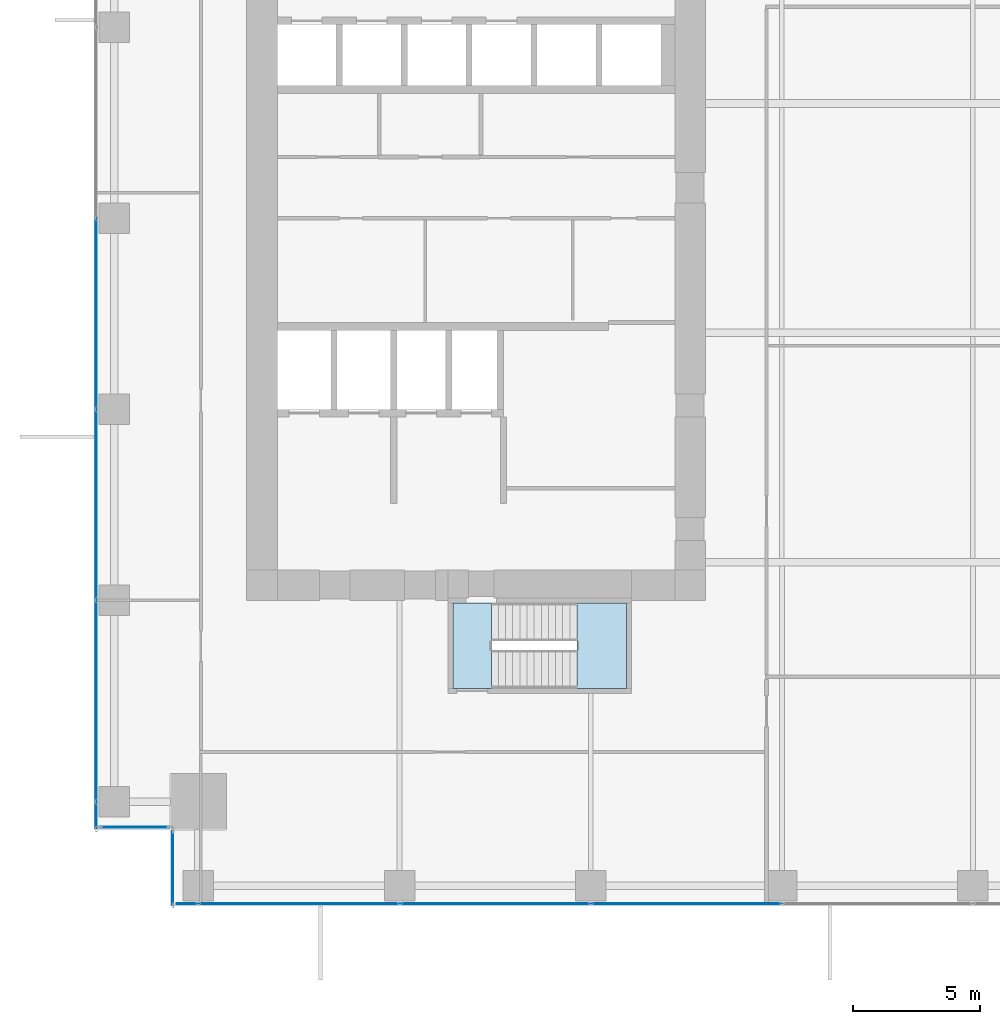
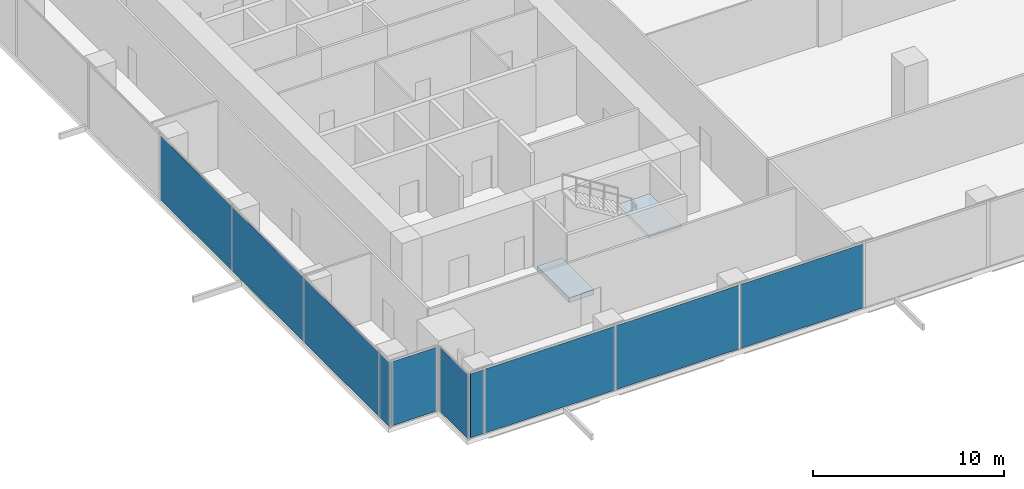
# One storey, part 22 of 33: 10 plates, 2 slabs, 5 elements without a shape of their own.
"""IFC4 building model written with IfcOpenShell, lengths in metres."""

from ifc_helpers import new_model, si_unit, direction, frame, origin, origin_2d, place, context, subcontext, project, spatial, polyline, rectangle, outline, extrude, source, transform, mapped, material, layer, layer_set, type_object, element, aggregate, save


model = new_model("IFC4")

# Units and contexts
model_context = context("Model", 3, precision=1e-05, world=origin(), true_north=direction((0.0, 1.0)))
body_context = subcontext(model_context, "Body", "Model", "MODEL_VIEW")
ifc_project = project(units=[si_unit("LENGTHUNIT", "METRE"), si_unit("AREAUNIT", "SQUARE_METRE"), si_unit("VOLUMEUNIT", "CUBIC_METRE"), si_unit("PLANEANGLEUNIT", "RADIAN"), si_unit("MASSUNIT", "GRAM", prefix="KILO")], contexts=[model_context])

# Site, building, storey
site_placement = place(None, origin())
site = spatial("IfcSite", under=ifc_project, at=site_placement, CompositionType="ELEMENT")
building_placement = place(site_placement, origin())
building = spatial("IfcBuilding", under=site, at=building_placement, Name="Khomas Fold Tower", CompositionType="ELEMENT")
storey_placement = place(building_placement, frame((0.0, 0.0, 78.0)))
storey = spatial("IfcBuildingStorey", under=building, at=storey_placement, Name="L16", CompositionType="ELEMENT", Elevation=78.0)

# Curtain wall, plates
ifc_material_1 = material(Name="Aluminium framed double glazing", Category="aluminium")
curtain_wall_type = type_object("IfcCurtainWallType", Name="SK-Unitised clear-glass wall, growing floors CW1", PredefinedType="NOTDEFINED", material=ifc_material_1)
curtain_wall_1_placement = place(storey_placement, origin())
curtain_wall_1 = element("IfcCurtainWall", 1, at=curtain_wall_1_placement, inside=storey, type_object=curtain_wall_type, Name="CW1 run L16 00-0", PredefinedType="NOTDEFINED")
ifc_material_2 = material(Name="Clear double glazed unit")
ifc_layer_1 = layer(ifc_material_2, 0.031982421875)
ifc_layer_set_1 = layer_set([ifc_layer_1], Name="Clear double glazed unit")
plate_type = type_object("IfcPlateType", Name="SK-Unitised clear-glass wall, growing floors glass panel CW1-P", PredefinedType="CURTAIN_PANEL", material=ifc_layer_set_1)
shared_shape_1 = source(origin(), body_context, "Body", "SweptSolid", [
    extrude(rectangle(XDim=0.81005859375, YDim=0.031982421875, at=origin_2d()), origin(), (0.0, 0.0, 1.0), 4.080078125),
])
plate_1_placement = place(storey_placement, frame((3.6650390625, 0.10009765625, 0.0), z_axis=(0.0, 0.0, 1.0), x_axis=(1.0, 0.0, 0.0)))
plate_1 = element("IfcPlate", 2, at=plate_1_placement, type_object=plate_type, Name="CW1 glass panel 1", PredefinedType="CURTAIN_PANEL", context=body_context, shape_type="MappedRepresentation", body=[
    mapped(shared_shape_1, transform((0.0, 0.0, 0.0))),
])
shared_shape_2 = source(origin(), body_context, "Body", "SweptSolid", [
    extrude(rectangle(XDim=7.840087890625, YDim=0.031982421875, at=origin_2d()), origin(), (0.0, 0.0, 1.0), 4.080078125),
])
plate_2_placement = place(storey_placement, frame((8.050048828125, 0.10009765625, 0.0), z_axis=(0.0, 0.0, 1.0), x_axis=(1.0, 0.0, 0.0)))
plate_2 = element("IfcPlate", 3, at=plate_2_placement, type_object=plate_type, Name="CW1 glass panel 2", PredefinedType="CURTAIN_PANEL", context=body_context, shape_type="MappedRepresentation", body=[
    mapped(shared_shape_2, transform((0.0, 0.0, 0.0))),
])

# Curtain wall, plate
curtain_wall_2_placement = place(storey_placement, origin())
curtain_wall_2 = element("IfcCurtainWall", 4, at=curtain_wall_2_placement, inside=storey, type_object=curtain_wall_type, Name="CW1 run L16 09-0", PredefinedType="NOTDEFINED")
plate_3_placement = place(storey_placement, frame((0.10009765625, 8.050048828125, 0.0), z_axis=(0.0, 0.0, 1.0), x_axis=(0.0, -1.0, 0.0)))
plate_3 = element("IfcPlate", 5, at=plate_3_placement, type_object=plate_type, Name="CW1 glass panel 7", PredefinedType="CURTAIN_PANEL", context=body_context, shape_type="MappedRepresentation", body=[
    mapped(shared_shape_2, transform((0.0, 0.0, 0.0))),
])

# Plate
shared_shape_3 = source(origin(), body_context, "Body", "SweptSolid", [
    extrude(rectangle(XDim=7.43994140625, YDim=0.031982421875, at=origin_2d()), origin(), (0.0, 0.0, 1.0), 4.080078125),
])
plate_4_placement = place(storey_placement, frame((15.75, 0.10009765625, 0.0), z_axis=(0.0, 0.0, 1.0), x_axis=(1.0, 0.0, 0.0)))
plate_4 = element("IfcPlate", 6, at=plate_4_placement, type_object=plate_type, Name="CW1 glass panel 3", PredefinedType="CURTAIN_PANEL", context=body_context, shape_type="MappedRepresentation", body=[
    mapped(shared_shape_3, transform((0.0, 0.0, 0.0))),
])

plate_5_placement = place(storey_placement, frame((23.25, 0.10009765625, 0.0), z_axis=(0.0, 0.0, 1.0), x_axis=(1.0, 0.0, 0.0)))
plate_5 = element("IfcPlate", 7, at=plate_5_placement, type_object=plate_type, Name="CW1 glass panel 4", PredefinedType="CURTAIN_PANEL", context=body_context, shape_type="MappedRepresentation", body=[
    mapped(shared_shape_3, transform((0.0, 0.0, 0.0))),
])

aggregate(curtain_wall_1, [plate_1, plate_2, plate_4, plate_5])

plate_6_placement = place(storey_placement, frame((0.10009765625, 23.25, 0.0), z_axis=(0.0, 0.0, 1.0), x_axis=(0.0, -1.0, 0.0)))
plate_6 = element("IfcPlate", 8, at=plate_6_placement, type_object=plate_type, Name="CW1 glass panel 5", PredefinedType="CURTAIN_PANEL", context=body_context, shape_type="MappedRepresentation", body=[
    mapped(shared_shape_3, transform((0.0, 0.0, 0.0))),
])

plate_7_placement = place(storey_placement, frame((0.10009765625, 15.75, 0.0), z_axis=(0.0, 0.0, 1.0), x_axis=(0.0, -1.0, 0.0)))
plate_7 = element("IfcPlate", 9, at=plate_7_placement, type_object=plate_type, Name="CW1 glass panel 6", PredefinedType="CURTAIN_PANEL", context=body_context, shape_type="MappedRepresentation", body=[
    mapped(shared_shape_3, transform((0.0, 0.0, 0.0))),
])

shared_shape_4 = source(origin(), body_context, "Body", "SweptSolid", [
    extrude(rectangle(XDim=1.010009765625, YDim=0.031982421875, at=origin_2d()), origin(), (0.0, 0.0, 1.0), 4.080078125),
])
plate_8_placement = place(storey_placement, frame((0.10009765625, 3.56494140625, 0.0), z_axis=(0.0, 0.0, 1.0), x_axis=(0.0, -1.0, 0.0)))
plate_8 = element("IfcPlate", 10, at=plate_8_placement, type_object=plate_type, Name="CW1 glass panel 8", PredefinedType="CURTAIN_PANEL", context=body_context, shape_type="MappedRepresentation", body=[
    mapped(shared_shape_4, transform((0.0, 0.0, 0.0))),
])

aggregate(curtain_wall_2, [plate_6, plate_7, plate_3, plate_8])

# Curtain wall, plate
curtain_wall_3_placement = place(storey_placement, origin())
curtain_wall_3 = element("IfcCurtainWall", 11, at=curtain_wall_3_placement, inside=storey, type_object=curtain_wall_type, Name="CW1 corner return L16 10", PredefinedType="NOTDEFINED")
shared_shape_5 = source(origin(), body_context, "Body", "SweptSolid", [
    extrude(rectangle(XDim=2.679931640625, YDim=0.031982421875, at=origin_2d()), origin(), (0.0, 0.0, 1.0), 4.080078125),
])
plate_9_placement = place(storey_placement, frame((1.60009765625, 3.10009765625, 0.0), z_axis=(0.0, 0.0, 1.0), x_axis=(1.0, 0.0, 0.0)))
plate_9 = element("IfcPlate", 12, at=plate_9_placement, type_object=plate_type, Name="CW1 glass panel 1", PredefinedType="CURTAIN_PANEL", context=body_context, shape_type="MappedRepresentation", body=[
    mapped(shared_shape_5, transform((0.0, 0.0, 0.0))),
])
aggregate(curtain_wall_3, [plate_9])

curtain_wall_4_placement = place(storey_placement, origin())
curtain_wall_4 = element("IfcCurtainWall", 13, at=curtain_wall_4_placement, inside=storey, type_object=curtain_wall_type, Name="CW1 corner return L16 11", PredefinedType="NOTDEFINED")
shared_shape_6 = source(origin(), body_context, "Body", "SweptSolid", [
    extrude(rectangle(XDim=2.8798828125, YDim=0.031982421875, at=origin_2d()), origin(), (0.0, 0.0, 1.0), 4.080078125),
])
plate_10_placement = place(storey_placement, frame((3.10009765625, 1.5, 0.0), z_axis=(0.0, 0.0, 1.0), x_axis=(0.0, -1.0, 0.0)))
plate_10 = element("IfcPlate", 14, at=plate_10_placement, type_object=plate_type, Name="CW1 glass panel 1", PredefinedType="CURTAIN_PANEL", context=body_context, shape_type="MappedRepresentation", body=[
    mapped(shared_shape_6, transform((0.0, 0.0, 0.0))),
])
aggregate(curtain_wall_4, [plate_10])

# Stair, slab
ifc_material_3 = material(Name="Concrete C40/50", Category="concrete")
stair_type = type_object("IfcStairType", Name="Stair ST2", PredefinedType="HALF_TURN_STAIR", material=ifc_material_3)
stair_placement = place(storey_placement, origin())
stair = element("IfcStair", 15, at=stair_placement, inside=storey, type_object=stair_type, Name="L16 ST2", PredefinedType="HALF_TURN_STAIR")
ifc_material_4 = material(Name="Concrete C40/50", Category="concrete")
ifc_layer_2 = layer(ifc_material_4, 0.199951171875)
ifc_layer_set_2 = layer_set([ifc_layer_2], Name="Concrete C40/50")
slab_type_1 = type_object("IfcSlabType", Name="Stair landing 200", PredefinedType="LANDING", material=ifc_layer_set_2)
shared_shape_7 = source(origin(), body_context, "Body", "SweptSolid", [
    extrude(outline(polyline([(18.9599609375, 8.550048828125), (20.89990234375, 8.550048828125), (20.89990234375, 11.89990234375), (18.9599609375, 11.89990234375), (18.9599609375, 8.550048828125)])), origin(), (0.0, 0.0, 1.0), 0.199951171875),
])
slab_1_placement = place(storey_placement, frame((0.0, 0.0, 2.050048828125)))
slab_1 = element("IfcSlab", 16, at=slab_1_placement, type_object=slab_type_1, Name="ST2 landing 1", PredefinedType="LANDING", context=body_context, shape_type="MappedRepresentation", body=[
    mapped(shared_shape_7, transform((0.0, 0.0, 0.0))),
])
aggregate(stair, [slab_1])

# Slab
ifc_material_5 = material(Name="Concrete C40/50", Category="concrete")
ifc_layer_3 = layer(ifc_material_5, 0.300048828125)
ifc_layer_set_3 = layer_set([ifc_layer_3], Name="Concrete C40/50")
slab_type_2 = type_object("IfcSlabType", Name="Stair floor landing 300", PredefinedType="LANDING", material=ifc_layer_set_3)
shared_shape_8 = source(origin(), body_context, "Body", "SweptSolid", [
    extrude(outline(polyline([(15.60009765625, 8.550048828125), (14.10009765625, 8.550048828125), (14.10009765625, 11.89990234375), (15.60009765625, 11.89990234375), (15.60009765625, 8.550048828125)])), origin(), (0.0, 0.0, 1.0), 0.300048828125),
])
slab_2_placement = place(storey_placement, frame((0.0, 0.0, -0.300048828125)))
element("IfcSlab", 17, at=slab_2_placement, inside=storey, type_object=slab_type_2, Name="ST2 floor landing", PredefinedType="LANDING", context=body_context, shape_type="MappedRepresentation", body=[
    mapped(shared_shape_8, transform((0.0, 0.0, 0.0))),
])

save(model, "model.ifc")
